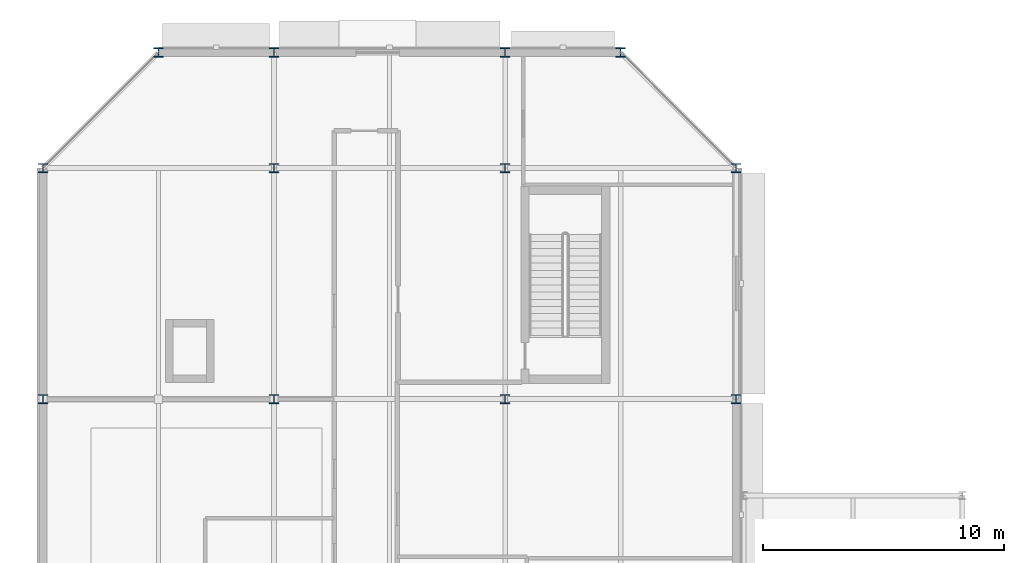
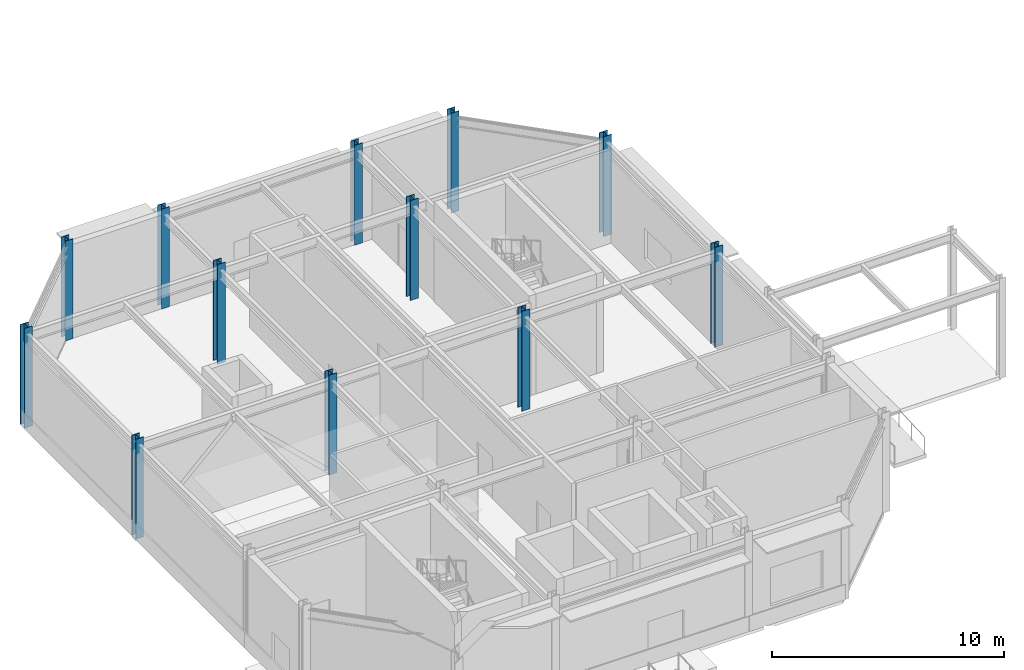
# One storey, part 11 of 168: 12 columns.
"""IFC4 building model written with IfcOpenShell, lengths in metres."""

from ifc_helpers import new_model, si_unit, direction, frame, origin, origin_2d, place, context, subcontext, project, spatial, i_section, extrude, material, material_profile, profile_set, type_object, element, save


model = new_model("IFC4")

# Units and contexts
model_context = context("Model", 3, precision=1e-05, world=origin(), true_north=direction((0.0, 1.0)))
body_context = subcontext(model_context, "Body", "Model", "MODEL_VIEW")
ifc_project = project(units=[si_unit("LENGTHUNIT", "METRE"), si_unit("AREAUNIT", "SQUARE_METRE"), si_unit("VOLUMEUNIT", "CUBIC_METRE"), si_unit("PLANEANGLEUNIT", "RADIAN"), si_unit("MASSUNIT", "GRAM", prefix="KILO")], contexts=[model_context])

# Site, building, storey
site_placement = place(None, origin())
site = spatial("IfcSite", under=ifc_project, at=site_placement, CompositionType="ELEMENT")
building_placement = place(site_placement, origin())
building = spatial("IfcBuilding", under=site, at=building_placement, Name="Almandine Court Research Institute", CompositionType="ELEMENT")
storey_placement = place(building_placement, origin())
storey = spatial("IfcBuildingStorey", under=building, at=storey_placement, Name="L00", CompositionType="ELEMENT", Elevation=0.0)

# Columns
ifc_material = material(Name="Steel ASTM A992 Grade 50", Category="steel")
ifc_material_profile_1 = material_profile(ifc_material, i_section(OverallWidth=0.39404296875, OverallDepth=0.375, WebThickness=0.02001953125, FlangeThickness=0.031982421875, at=origin_2d()), Name="W360x216")
ifc_profile_set_1 = profile_set([ifc_material_profile_1], Name="Steel ASTM A992 Grade 50")
column_type_1 = type_object("IfcColumnType", Name="Col-C-W02", PredefinedType="COLUMN", material=ifc_profile_set_1)
for number, where, z_axis, x_axis, name in (
    (1, (15.60009765625, 103.199951171875, 0.0), (0.0, 0.0, 1.0), (1.0, 0.0, 0.0), "L00 V3 Column V3-X2Y3"),
    (2, (15.60009765625, 112.800048828125, 0.0), (0.0, 0.0, 1.0), (1.0, 0.0, 0.0), "L00 V3 Column V3-X2Y4"),
    (3, (25.199951171875, 103.199951171875, 0.0), (0.0, 0.0, 1.0), (1.0, 0.0, 0.0), "L00 V3 Column V3-X3Y3"),
    (4, (25.199951171875, 112.800048828125, 0.0), (0.0, 0.0, 1.0), (1.0, 0.0, 0.0), "L00 V3 Column V3-X3Y4"),
):
    element("IfcColumn", number, at=place(storey_placement, frame(where, z_axis=z_axis, x_axis=x_axis)), inside=storey, type_object=column_type_1, Name=name, PredefinedType="COLUMN", context=body_context, shape_type="SweptSolid", body=[
        extrude(i_section(OverallWidth=0.39404296875, OverallDepth=0.375, WebThickness=0.02001953125, FlangeThickness=0.031982421875, at=origin_2d()), origin(), (0.0, 0.0, 1.0), 5.25),
    ])
ifc_material_profile_2 = material_profile(ifc_material, i_section(OverallWidth=0.39404296875, OverallDepth=0.375, WebThickness=0.02001953125, FlangeThickness=0.031982421875, at=origin_2d()), Name="W360x216")
ifc_profile_set_2 = profile_set([ifc_material_profile_2], Name="Steel ASTM A992 Grade 50")
column_type_2 = type_object("IfcColumnType", Name="Col-C-W02-E", PredefinedType="COLUMN", material=ifc_profile_set_2)
for number, where, z_axis, x_axis, name in (
    (5, (6.0, 103.199951171875, 0.0), (0.0, 0.0, 1.0), (1.0, 0.0, 0.0), "L00 V3 Column V3-X1Y3"),
    (6, (6.0, 112.800048828125, 0.0), (0.0, 0.0, 1.0), (1.0, 0.0, 0.0), "L00 V3 Column V3-X1Y4"),
    (7, (15.60009765625, 117.60009765625, 0.0), (0.0, 0.0, 1.0), (1.0, 0.0, 0.0), "L00 V3 Column V3-X2Y5"),
    (8, (25.199951171875, 117.60009765625, 0.0), (0.0, 0.0, 1.0), (1.0, 0.0, 0.0), "L00 V3 Column V3-X3Y5"),
    (9, (34.800048828125, 103.199951171875, 0.0), (0.0, 0.0, 1.0), (1.0, 0.0, 0.0), "L00 V3 Column V3-X4Y3"),
    (10, (34.800048828125, 112.800048828125, 0.0), (0.0, 0.0, 1.0), (1.0, 0.0, 0.0), "L00 V3 Column V3-X4Y4"),
    (11, (30.0, 117.60009765625, 0.0), (0.0, 0.0, 1.0), (1.0, 0.0, 0.0), "L00 V3 Column V3-CH5"),
    (12, (10.800048828125, 117.60009765625, 0.0), (0.0, 0.0, 1.0), (1.0, 0.0, 0.0), "L00 V3 Column V3-CH6"),
):
    element("IfcColumn", number, at=place(storey_placement, frame(where, z_axis=z_axis, x_axis=x_axis)), inside=storey, type_object=column_type_2, Name=name, PredefinedType="COLUMN", context=body_context, shape_type="SweptSolid", body=[
        extrude(i_section(OverallWidth=0.39404296875, OverallDepth=0.375, WebThickness=0.02001953125, FlangeThickness=0.031982421875, at=origin_2d()), origin(), (0.0, 0.0, 1.0), 5.25),
    ])

save(model, "model.ifc")
